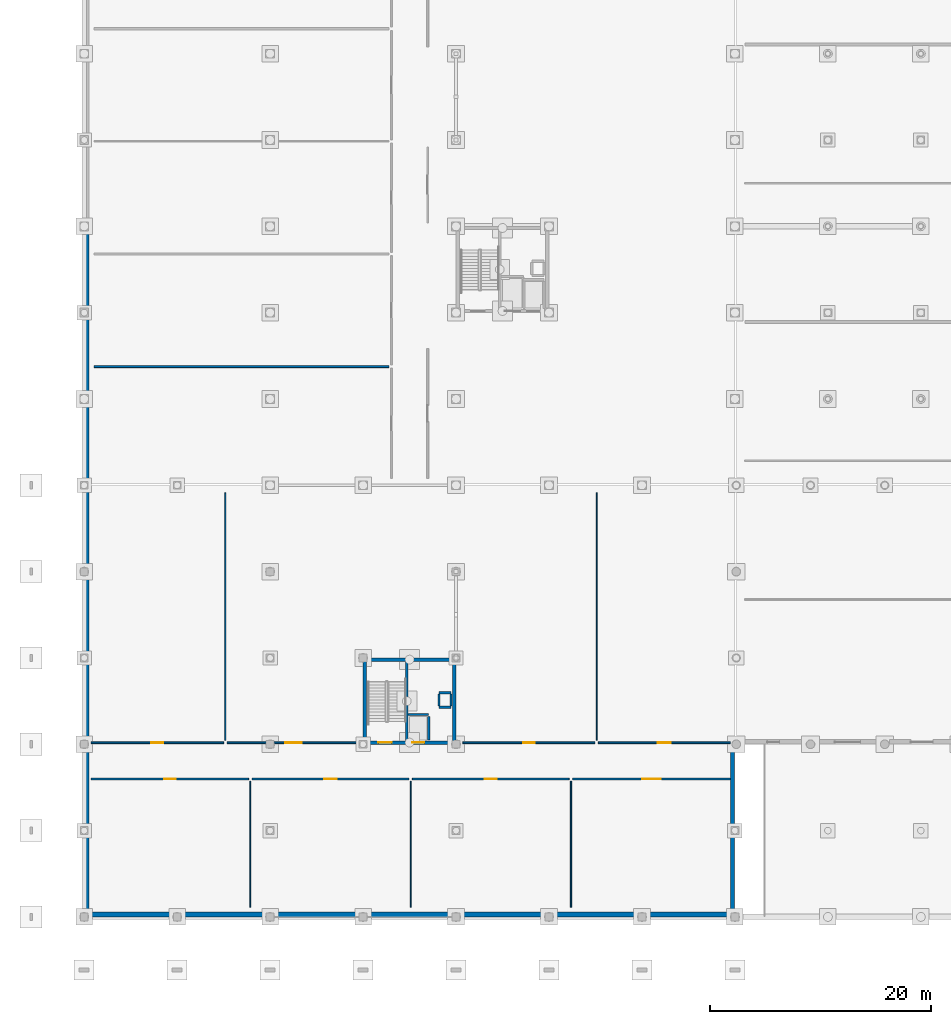
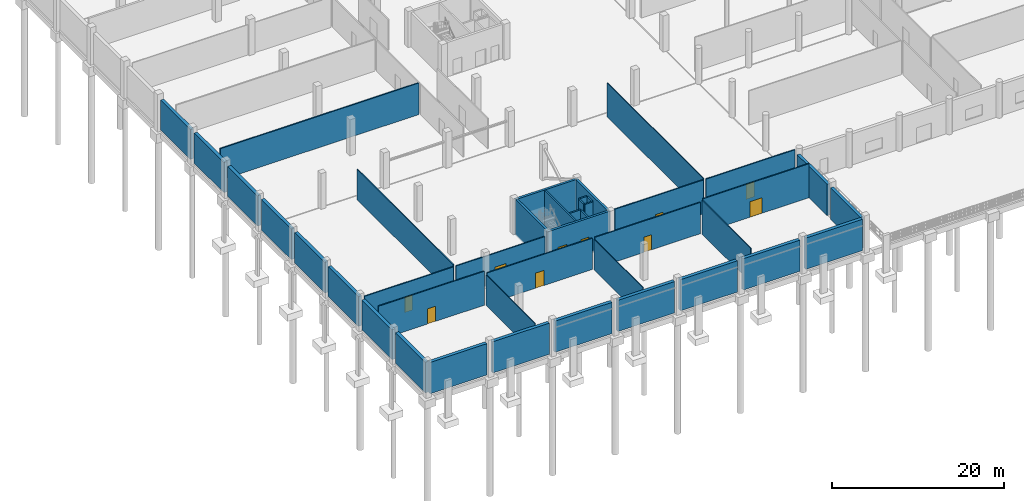
# One storey, part 27 of 48: 42 walls, 10 doors, 10 openings.
"""IFC4 building model written with IfcOpenShell, lengths in metres."""

import ifcopenshell
import ifcopenshell.guid

model = None  # the IFC model being written
_history = None  # IfcOwnerHistory: only IFC2X3 demands one
_inside = {}  # id of a spatial element -> (the spatial element, [elements in it])
_under = {}  # id of a project, library or spatial element -> (it, [spatial elements below it])
_declared = {}  # id of a project -> (the project, [libraries it declares])
_typed = {}  # id of a type object -> (the type object, [elements of that type])
_made_of = {}  # id of a material, layer set ... -> (it, [elements and type objects made of it])


def new_model(schema):
    """Start an empty IFC model of exactly this schema.

    Asked for "IFC4X3", IfcOpenShell would pick the latest addendum, in which some entities
    have other attributes; the version numbers below select the first issue.
    IFC2X3 requires an IfcOwnerHistory on every rooted entity: one is made here for all.
    """
    global model, _history
    if schema == "IFC4X3":
        model = ifcopenshell.file(schema_version=(4, 3, 0, 0))
    else:
        model = ifcopenshell.file(schema=schema)
    _inside.clear()
    _under.clear()
    _declared.clear()
    _typed.clear()
    _made_of.clear()
    _history = None
    if model.schema == "IFC2X3":
        org = make("IfcOrganization", Name="unknown")
        user = make(
            "IfcPersonAndOrganization",
            ThePerson=make("IfcPerson", FamilyName="unknown"),
            TheOrganization=org,
        )
        app = make(
            "IfcApplication",
            ApplicationDeveloper=org,
            Version="unknown",
            ApplicationFullName="unknown",
            ApplicationIdentifier="unknown",
        )
        _history = make(
            "IfcOwnerHistory",
            OwningUser=user,
            OwningApplication=app,
            ChangeAction="ADDED",
            CreationDate=0,
        )
    return model


def make(cls, **values):
    """One entity of the class cls with the attributes given. An attribute that is None is left unset."""
    return model.create_entity(
        cls, **{name: value for name, value in values.items() if value is not None}
    )


def rooted(cls, **values):
    """An entity with a GlobalId (a new one), such as an element, a storey or a relation."""
    return make(cls, GlobalId=ifcopenshell.guid.new(), OwnerHistory=_history, **values)


def si_unit(unit_type, name, prefix=None):
    """IfcSIUnit, for example si_unit("LENGTHUNIT", "METRE", prefix="MILLI")."""
    return make("IfcSIUnit", UnitType=unit_type, Prefix=prefix, Name=name)


def assignment(units):
    """IfcUnitAssignment: the units of a project."""
    return None if units is None else make("IfcUnitAssignment", Units=units)


def point(xyz):
    """IfcCartesianPoint."""
    return None if xyz is None else make("IfcCartesianPoint", Coordinates=xyz)


def direction(xyz):
    """IfcDirection."""
    return None if xyz is None else make("IfcDirection", DirectionRatios=xyz)


def frame(location, z_axis=None, x_axis=None):
    """IfcAxis2Placement3D, a coordinate frame: its origin and axes. An axis left out is left unset."""
    return make(
        "IfcAxis2Placement3D",
        Location=point(location),
        Axis=direction(z_axis),
        RefDirection=direction(x_axis),
    )


def frame_2d(location, x_axis=None):
    """IfcAxis2Placement2D, a coordinate frame in the plane: its origin and x axis."""
    return make(
        "IfcAxis2Placement2D", Location=point(location), RefDirection=direction(x_axis)
    )


def origin():
    """The frame at (0, 0, 0) with its axes left unset."""
    return frame((0.0, 0.0, 0.0))


def place(relative_to, where):
    """IfcLocalPlacement: puts the frame where relative to a parent placement (None: the world)."""
    return make(
        "IfcLocalPlacement", PlacementRelTo=relative_to, RelativePlacement=where
    )


def context(
    kind, dimensions, precision=None, world=None, true_north=None, identifier=None
):
    """IfcGeometricRepresentationContext, for example the 3D "Model" context."""
    return make(
        "IfcGeometricRepresentationContext",
        ContextIdentifier=identifier,
        ContextType=kind,
        CoordinateSpaceDimension=dimensions,
        Precision=precision,
        WorldCoordinateSystem=world,
        TrueNorth=true_north,
    )


def subcontext(parent, identifier, kind, view, scale=None):
    """IfcGeometricRepresentationSubContext, for example "Body" below "Model"."""
    return make(
        "IfcGeometricRepresentationSubContext",
        ContextIdentifier=identifier,
        ContextType=kind,
        ParentContext=parent,
        TargetScale=scale,
        TargetView=view,
    )


def project(units=None, contexts=None):
    """IfcProject with its units and contexts."""
    return rooted(
        "IfcProject",
        Name="project",
        RepresentationContexts=contexts,
        UnitsInContext=assignment(units),
    )


def spatial(cls, under=None, at=None, **own):
    """A site, building, storey or space (cls), placed at a placement, below another one or the project."""
    s = rooted(cls, ObjectPlacement=at, **own)
    if under is not None:
        _under.setdefault(under.id(), (under, []))[1].append(s)
    return s


def profile(cls, at=None, kind="AREA", **sizes):
    """A parametric profile (cls). Its sizes go by their IFC names, for example OverallWidth=200.0."""
    return make(cls, ProfileType=kind, Position=at, **sizes)


def rectangle(**sizes):
    """IfcRectangleProfileDef."""
    return profile("IfcRectangleProfileDef", **sizes)


def extrude(swept, where, along, depth):
    """IfcExtrudedAreaSolid: the profile swept, set in the frame where, extruded along a direction by depth."""
    return make(
        "IfcExtrudedAreaSolid",
        SweptArea=swept,
        Position=where,
        ExtrudedDirection=direction(along),
        Depth=depth,
    )


def shape(context_of_items, identifier, shape_type, items):
    """IfcShapeRepresentation: the items that make up one representation, for example the "Body"."""
    return make(
        "IfcShapeRepresentation",
        ContextOfItems=context_of_items,
        RepresentationIdentifier=identifier,
        RepresentationType=shape_type,
        Items=items,
    )


def material(Name=None, Category=None):
    """IfcMaterial."""
    return make("IfcMaterial", Name=Name, Category=Category)


def layer(
    of_material, thickness, ventilated=None, Name=None, Category=None, Priority=None
):
    """IfcMaterialLayer: one layer of a wall or slab, of a material (None: an air gap)."""
    return make(
        "IfcMaterialLayer",
        Material=of_material,
        LayerThickness=thickness,
        IsVentilated=ventilated,
        Name=Name,
        Category=Category,
        Priority=Priority,
    )


def layer_set(layers, Name=None):
    """IfcMaterialLayerSet."""
    return make("IfcMaterialLayerSet", MaterialLayers=layers, LayerSetName=Name)


def made_of(thing, what):
    """Note that an element or type object is made of a material, layer set ...; save() writes the relation."""
    if what is not None:
        _made_of.setdefault(what.id(), (what, []))[1].append(thing)
    return thing


def type_object(cls, material=None, **own):
    """A type object (cls), such as IfcWallType, which elements share."""
    return made_of(rooted(cls, **own), material)


def element(
    cls,
    number,
    at=None,
    inside=None,
    cuts=None,
    type_object=None,
    material=None,
    context=None,
    identifier="Body",
    shape_type=None,
    held_by="IfcProductDefinitionShape",
    body=None,
    shapes=None,
    **own,
):
    """One element of the class cls, such as IfcWall. Its Tag is "e" and its number.

    at: its placement. inside: the storey or other place that contains it. cuts: it is an
    opening in that element (IfcRelVoidsElement). A single representation is given by context,
    identifier, shape_type and body (its items); several are given by shapes. held_by: the class
    of the entity that holds the representations. save() writes the other relations.
    """
    e = rooted(cls, Tag="e%d" % number, ObjectPlacement=at, **own)
    if body is not None:
        shapes = [shape(context, identifier, shape_type, body)]
    if shapes is not None:
        e.Representation = make(held_by, Representations=shapes)
    if inside is not None:
        _inside.setdefault(inside.id(), (inside, []))[1].append(e)
    if cuts is not None:
        rooted(
            "IfcRelVoidsElement", RelatingBuildingElement=cuts, RelatedOpeningElement=e
        )
    if type_object is not None:
        _typed.setdefault(type_object.id(), (type_object, []))[1].append(e)
    return made_of(e, material)


def fill(opening, filler):
    """IfcRelFillsElement: the door or window that sits in an opening."""
    return rooted(
        "IfcRelFillsElement",
        RelatingOpeningElement=opening,
        RelatedBuildingElement=filler,
    )


def aggregate(whole, parts):
    """IfcRelAggregates: a whole, such as a stair, and the parts it consists of."""
    return rooted("IfcRelAggregates", RelatingObject=whole, RelatedObjects=parts)


def save(model, path):
    """Write the relations noted so far, then the file.

    IfcRelAggregates (storeys below a building ...), IfcRelContainedInSpatialStructure (elements
    in a storey), IfcRelDefinesByType, IfcRelAssociatesMaterial and IfcRelDeclares: one each for
    every whole, place, type object, material and project.
    """
    for whole, parts in _under.values():
        aggregate(whole, parts)
    for where, things in _inside.values():
        rooted(
            "IfcRelContainedInSpatialStructure",
            RelatedElements=things,
            RelatingStructure=where,
        )
    for kind, things in _typed.values():
        rooted("IfcRelDefinesByType", RelatedObjects=things, RelatingType=kind)
    for what, things in _made_of.values():
        rooted("IfcRelAssociatesMaterial", RelatedObjects=things, RelatingMaterial=what)
    for by, libraries in _declared.values():
        rooted("IfcRelDeclares", RelatingContext=by, RelatedDefinitions=libraries)
    model.write(path)


model = new_model("IFC4")

# Units and contexts
model_context = context("Model", 3, precision=1e-05, world=origin(), true_north=direction((0.0, 1.0)))
body_context = subcontext(model_context, "Body", "Model", "MODEL_VIEW")
ifc_project = project(units=[si_unit("LENGTHUNIT", "METRE"), si_unit("AREAUNIT", "SQUARE_METRE"), si_unit("VOLUMEUNIT", "CUBIC_METRE"), si_unit("PLANEANGLEUNIT", "RADIAN"), si_unit("MASSUNIT", "GRAM", prefix="KILO")], contexts=[model_context])

# Site, building, storey
site_placement = place(None, origin())
site = spatial("IfcSite", under=ifc_project, at=site_placement, CompositionType="ELEMENT")
building_placement = place(site_placement, origin())
building = spatial("IfcBuilding", under=site, at=building_placement, Name="Nabrawat Pavilion Hospital", CompositionType="ELEMENT")
storey_placement = place(building_placement, frame((0.0, 0.0, -5.10009765625)))
storey = spatial("IfcBuildingStorey", under=building, at=storey_placement, Name="B1", CompositionType="ELEMENT", Elevation=-5.10009765625)

# Walls
ifc_material_1 = material(Name="Concrete C35/45", Category="concrete")
ifc_layer_1 = layer(ifc_material_1, 0.43994140625, Name="Concrete C35/45")
ifc_layer_set_1 = layer_set([ifc_layer_1], Name="Concrete C35/45")
wall_type_1 = type_object("IfcWallType", Name="Basement Deep RC Retaining Wall 440", PredefinedType="USERDEFINED", material=ifc_layer_set_1)
wall_1_placement = place(storey_placement, frame((0.219970703125, 0.43994140625, 0.0), z_axis=(0.0, 0.0, 1.0), x_axis=(0.0, 1.0, 0.0)))
element("IfcWall", 1, at=wall_1_placement, inside=storey, type_object=wall_type_1, Name="B1 Perimeter Retaining Wall 001", ObjectType="RETAININGWALL", PredefinedType="USERDEFINED", context=body_context, shape_type="SweptSolid", body=[
    extrude(rectangle(XDim=6.969970703125, YDim=0.43994140625, at=frame_2d((3.48486328125, 0.0))), origin(), (0.0, 0.0, 1.0), 4.330078125),
])
for number, where, z_axis, x_axis, name in (
    (2, (0.219970703125, 8.18994140625, 0.0), (0.0, 0.0, 1.0), (0.0, 1.0, 0.0), "B1 Perimeter Retaining Wall 002"),
    (3, (0.219970703125, 15.989990234375, 0.0), (0.0, 0.0, 1.0), (0.0, 1.0, 0.0), "B1 Perimeter Retaining Wall 003"),
):
    element("IfcWall", number, at=place(storey_placement, frame(where, z_axis=z_axis, x_axis=x_axis)), inside=storey, type_object=wall_type_1, Name=name, ObjectType="RETAININGWALL", PredefinedType="USERDEFINED", context=body_context, shape_type="SweptSolid", body=[
        extrude(rectangle(XDim=7.02001953125, YDim=0.43994140625, at=frame_2d((3.510009765625, 0.0))), origin(), (0.0, 0.0, 1.0), 4.22998046875),
    ])
wall_2_placement = place(storey_placement, frame((0.219970703125, 23.7900390625, 0.0), z_axis=(0.0, 0.0, 1.0), x_axis=(0.0, 1.0, 0.0)))
element("IfcWall", 4, at=wall_2_placement, inside=storey, type_object=wall_type_1, Name="B1 Perimeter Retaining Wall 004", ObjectType="RETAININGWALL", PredefinedType="USERDEFINED", context=body_context, shape_type="SweptSolid", body=[
    extrude(rectangle(XDim=7.02001953125, YDim=0.43994140625, at=frame_2d((3.510009765625, 0.0))), origin(), (0.0, 0.0, 1.0), 4.330078125),
])
wall_3_placement = place(storey_placement, frame((0.219970703125, 31.590087890625, 0.0), z_axis=(0.0, 0.0, 1.0), x_axis=(0.0, 1.0, 0.0)))
element("IfcWall", 5, at=wall_3_placement, inside=storey, type_object=wall_type_1, Name="B1 Perimeter Retaining Wall 005", ObjectType="RETAININGWALL", PredefinedType="USERDEFINED", context=body_context, shape_type="SweptSolid", body=[
    extrude(rectangle(XDim=6.969970703125, YDim=0.43994140625, at=frame_2d((3.48486328125, 0.0))), origin(), (0.0, 0.0, 1.0), 4.330078125),
])
wall_4_placement = place(storey_placement, frame((0.389892578125, 0.219970703125, 0.0), z_axis=(0.0, 0.0, 1.0), x_axis=(1.0, 0.0, 0.0)))
element("IfcWall", 6, at=wall_4_placement, inside=storey, type_object=wall_type_1, Name="B1 Perimeter Retaining Wall 006", ObjectType="RETAININGWALL", PredefinedType="USERDEFINED", context=body_context, shape_type="SweptSolid", body=[
    extrude(rectangle(XDim=7.6201171875, YDim=0.43994140625, at=frame_2d((3.81005859375, 0.0))), origin(), (0.0, 0.0, 1.0), 4.440185546875),
])
wall_5_placement = place(storey_placement, frame((8.7900390625, 0.219970703125, 0.0), z_axis=(0.0, 0.0, 1.0), x_axis=(1.0, 0.0, 0.0)))
element("IfcWall", 7, at=wall_5_placement, inside=storey, type_object=wall_type_1, Name="B1 Perimeter Retaining Wall 007", ObjectType="RETAININGWALL", PredefinedType="USERDEFINED", context=body_context, shape_type="SweptSolid", body=[
    extrude(rectangle(XDim=7.619873046875, YDim=0.43994140625, at=frame_2d((3.81005859375, 0.0))), origin(), (0.0, 0.0, 1.0), 4.43017578125),
])
wall_6_placement = place(storey_placement, frame((17.18994140625, 0.219970703125, 0.0), z_axis=(0.0, 0.0, 1.0), x_axis=(1.0, 0.0, 0.0)))
element("IfcWall", 8, at=wall_6_placement, inside=storey, type_object=wall_type_1, Name="B1 Perimeter Retaining Wall 008", ObjectType="RETAININGWALL", PredefinedType="USERDEFINED", context=body_context, shape_type="SweptSolid", body=[
    extrude(rectangle(XDim=7.6201171875, YDim=0.43994140625, at=frame_2d((3.81005859375, 0.0))), origin(), (0.0, 0.0, 1.0), 4.43017578125),
])
wall_7_placement = place(storey_placement, frame((25.590087890625, 0.219970703125, 0.0), z_axis=(0.0, 0.0, 1.0), x_axis=(1.0, 0.0, 0.0)))
element("IfcWall", 9, at=wall_7_placement, inside=storey, type_object=wall_type_1, Name="B1 Perimeter Retaining Wall 009", ObjectType="RETAININGWALL", PredefinedType="USERDEFINED", context=body_context, shape_type="SweptSolid", body=[
    extrude(rectangle(XDim=7.619873046875, YDim=0.43994140625, at=frame_2d((3.81005859375, 0.0))), origin(), (0.0, 0.0, 1.0), 4.43017578125),
])
wall_8_placement = place(storey_placement, frame((33.989990234375, 0.219970703125, 0.0), z_axis=(0.0, 0.0, 1.0), x_axis=(1.0, 0.0, 0.0)))
element("IfcWall", 10, at=wall_8_placement, inside=storey, type_object=wall_type_1, Name="B1 Perimeter Retaining Wall 010", ObjectType="RETAININGWALL", PredefinedType="USERDEFINED", context=body_context, shape_type="SweptSolid", body=[
    extrude(rectangle(XDim=7.6201171875, YDim=0.43994140625, at=frame_2d((3.81005859375, 0.0))), origin(), (0.0, 0.0, 1.0), 4.43017578125),
])
wall_9_placement = place(storey_placement, frame((42.389892578125, 0.219970703125, 0.0), z_axis=(0.0, 0.0, 1.0), x_axis=(1.0, 0.0, 0.0)))
element("IfcWall", 11, at=wall_9_placement, inside=storey, type_object=wall_type_1, Name="B1 Perimeter Retaining Wall 011", ObjectType="RETAININGWALL", PredefinedType="USERDEFINED", context=body_context, shape_type="SweptSolid", body=[
    extrude(rectangle(XDim=7.6201171875, YDim=0.43994140625, at=frame_2d((3.81005859375, 0.0))), origin(), (0.0, 0.0, 1.0), 4.440185546875),
])
wall_10_placement = place(storey_placement, frame((50.7900390625, 0.219970703125, 0.0), z_axis=(0.0, 0.0, 1.0), x_axis=(1.0, 0.0, 0.0)))
element("IfcWall", 12, at=wall_10_placement, inside=storey, type_object=wall_type_1, Name="B1 Perimeter Retaining Wall 012", ObjectType="RETAININGWALL", PredefinedType="USERDEFINED", context=body_context, shape_type="SweptSolid", body=[
    extrude(rectangle(XDim=7.619873046875, YDim=0.43994140625, at=frame_2d((3.81005859375, 0.0))), origin(), (0.0, 0.0, 1.0), 4.440185546875),
])
wall_11_placement = place(storey_placement, frame((0.219970703125, 39.43994140625, 0.0), z_axis=(0.0, 0.0, 1.0), x_axis=(0.0, 1.0, 0.0)))
element("IfcWall", 13, at=wall_11_placement, inside=storey, type_object=wall_type_1, Name="B1 Perimeter Retaining Wall 013", ObjectType="RETAININGWALL", PredefinedType="USERDEFINED", context=body_context, shape_type="SweptSolid", body=[
    extrude(rectangle(XDim=6.920166015625, YDim=0.43994140625, at=frame_2d((3.4599609375, 0.0))), origin(), (0.0, 0.0, 1.0), 4.280029296875),
])
wall_12_placement = place(storey_placement, frame((0.219970703125, 47.239990234375, 0.0), z_axis=(0.0, 0.0, 1.0), x_axis=(0.0, 1.0, 0.0)))
element("IfcWall", 14, at=wall_12_placement, inside=storey, type_object=wall_type_1, Name="B1 Perimeter Retaining Wall 014", ObjectType="RETAININGWALL", PredefinedType="USERDEFINED", context=body_context, shape_type="SweptSolid", body=[
    extrude(rectangle(XDim=6.919921875, YDim=0.43994140625, at=frame_2d((3.4599609375, 0.0))), origin(), (0.0, 0.0, 1.0), 4.280029296875),
])
wall_13_placement = place(storey_placement, frame((0.219970703125, 55.0400390625, 0.0), z_axis=(0.0, 0.0, 1.0), x_axis=(0.0, 1.0, 0.0)))
element("IfcWall", 15, at=wall_13_placement, inside=storey, type_object=wall_type_1, Name="B1 Perimeter Retaining Wall 015", ObjectType="RETAININGWALL", PredefinedType="USERDEFINED", context=body_context, shape_type="SweptSolid", body=[
    extrude(rectangle(XDim=6.919921875, YDim=0.43994140625, at=frame_2d((3.4599609375, 0.0))), origin(), (0.0, 0.0, 1.0), 4.22998046875),
])
ifc_layer_2 = layer(ifc_material_1, 0.39990234375, Name="Concrete C35/45")
ifc_layer_set_2 = layer_set([ifc_layer_2], Name="Concrete C35/45")
wall_type_2 = type_object("IfcWallType", Name="Basement RC Retaining Wall 400", PredefinedType="USERDEFINED", material=ifc_layer_set_2)
wall_14_placement = place(storey_placement, frame((58.580078125, 0.43994140625, 0.0), z_axis=(0.0, 0.0, 1.0), x_axis=(0.0, 1.0, 0.0)))
element("IfcWall", 16, at=wall_14_placement, inside=storey, type_object=wall_type_2, Name="B1 Perimeter Retaining Wall 030", ObjectType="RETAININGWALL", PredefinedType="USERDEFINED", context=body_context, shape_type="SweptSolid", body=[
    extrude(rectangle(XDim=6.969970703125, YDim=0.39990234375, at=frame_2d((3.48486328125, 0.0))), origin(), (0.0, 0.0, 1.0), 4.440185546875),
])
wall_15_placement = place(storey_placement, frame((58.580078125, 8.18994140625, 0.0), z_axis=(0.0, 0.0, 1.0), x_axis=(0.0, 1.0, 0.0)))
element("IfcWall", 17, at=wall_15_placement, inside=storey, type_object=wall_type_2, Name="B1 Perimeter Retaining Wall 031", ObjectType="RETAININGWALL", PredefinedType="USERDEFINED", context=body_context, shape_type="SweptSolid", body=[
    extrude(rectangle(XDim=6.969970703125, YDim=0.39990234375, at=frame_2d((3.48486328125, 0.0))), origin(), (0.0, 0.0, 1.0), 4.43017578125),
])
ifc_material_2 = material(Name="Epoxy-Coated Gypsum on Stud", Category="gypsum")
ifc_layer_3 = layer(ifc_material_2, 0.169921875, Name="Epoxy-Coated Gypsum on Stud")
ifc_layer_set_3 = layer_set([ifc_layer_3], Name="Epoxy-Coated Gypsum on Stud")
wall_type_3 = type_object("IfcWallType", Name="Biosafety Laboratory Chemical Wall 170", PredefinedType="PARTITIONING", material=ifc_layer_set_3)
wall_16_placement = place(storey_placement, frame((0.889892578125, 49.718017578125, 0.0), z_axis=(0.0, 0.0, 1.0), x_axis=(1.0, 0.0, 0.0)))
element("IfcWall", 18, at=wall_16_placement, inside=storey, type_object=wall_type_3, Name="B1 Anatomical Pathology Laboratory B1-01 Dividing Partition", PredefinedType="PARTITIONING", context=body_context, shape_type="SweptSolid", body=[
    extrude(rectangle(XDim=26.650146484375, YDim=0.169921875, at=frame_2d((13.3251953125, 0.0))), origin(), (0.0, 0.0, 1.0), 4.47998046875),
])
ifc_material_3 = material(Name="Gypsum Plasterboard on Stud", Category="gypsum")
ifc_layer_4 = layer(ifc_material_3, 0.10009765625, Name="Gypsum Plasterboard on Stud")
ifc_layer_set_4 = layer_set([ifc_layer_4], Name="Gypsum Plasterboard on Stud")
wall_type_4 = type_object("IfcWallType", Name="Clean Utility Sub-Partition 100", PredefinedType="PARTITIONING", material=ifc_layer_set_4)
for number, where, z_axis, x_axis, name in (
    (19, (15.02001953125, 0.889892578125, 0.0), (0.0, 0.0, 1.0), (0.0, 1.0, 0.0), "B1 Central Sterile Supply Decontamination Hall B1-01 Dividing Partition"),
    (20, (29.5, 0.889892578125, 0.0), (0.0, 0.0, 1.0), (0.0, 1.0, 0.0), "B1 Automated Robotic Inpatient Pharmacy Vault B1-02 Dividing Partition"),
):
    element("IfcWall", number, at=place(storey_placement, frame(where, z_axis=z_axis, x_axis=x_axis)), inside=storey, type_object=wall_type_4, Name=name, PredefinedType="PARTITIONING", context=body_context, shape_type="SweptSolid", body=[
        extrude(rectangle(XDim=11.35009765625, YDim=0.10009765625, at=frame_2d((5.675048828125, 0.0))), origin(), (0.0, 0.0, 1.0), 4.330078125),
    ])
wall_17_placement = place(storey_placement, frame((46.300048828125, 15.9599609375, 0.0), z_axis=(0.0, 0.0, 1.0), x_axis=(0.0, 1.0, 0.0)))
element("IfcWall", 21, at=wall_17_placement, inside=storey, type_object=wall_type_4, Name="B1 Central Sterile Supply Decontamination Hall B1-07 Dividing Partition", PredefinedType="PARTITIONING", context=body_context, shape_type="SweptSolid", body=[
    extrude(rectangle(XDim=22.35009765625, YDim=0.10009765625, at=frame_2d((11.175048828125, 0.0))), origin(), (0.0, 0.0, 1.0), 4.820068359375),
])

# Wall, opening, door
ifc_material_4 = material(Name="Gypsum Fireboard on Steel Stud", Category="steel")
ifc_layer_5 = layer(ifc_material_4, 0.14990234375, Name="Gypsum Fireboard on Steel Stud")
ifc_layer_set_5 = layer_set([ifc_layer_5], Name="Gypsum Fireboard on Steel Stud")
wall_type_5 = type_object("IfcWallType", Name="Clinical Corridor Smoke-Barrier Wall 150", PredefinedType="PARTITIONING", material=ifc_layer_set_5)
wall_18_placement = place(storey_placement, frame((0.6201171875, 12.4599609375, 0.0), z_axis=(0.0, 0.0, 1.0), x_axis=(1.0, 0.0, 0.0)))
wall_18 = element("IfcWall", 22, at=wall_18_placement, inside=storey, type_object=wall_type_5, Name="B1 Central Sterile Supply Decontamination Hall B1-01 Front Partition", PredefinedType="PARTITIONING", context=body_context, shape_type="SweptSolid", body=[
    extrude(rectangle(XDim=14.239990234375, YDim=0.14990234375, at=frame_2d((7.1201171875, 0.0))), origin(), (0.0, 0.0, 1.0), 4.820068359375),
])
opening_1_placement = place(wall_18_placement, frame((6.594970703125, 0.0, 0.0)))
opening_1 = element("IfcOpeningElement", 23, at=opening_1_placement, cuts=wall_18, Name="Opening D-OPC-L", PredefinedType="OPENING", context=body_context, shape_type="SweptSolid", body=[
    extrude(rectangle(XDim=1.050048828125, YDim=2.14990234375, at=frame_2d((0.52490234375, 1.074951171875))), frame((0.0, 0.0849609375, 0.0), z_axis=(0.0, -1.0, 0.0), x_axis=(1.0, 0.0, 0.0)), (0.0, 0.0, 1.0), 0.169921875),
])
ifc_material_5 = material(Name="Stainless-Clad Acoustic Timber and Vision Glass", Category="wood")
door_type_1 = type_object("IfcDoorType", Name="Outpatient Clinic Consultation Door L 1050x2150", OperationType="NOTDEFINED", PredefinedType="DOOR", material=ifc_material_5)
door_1_placement = place(opening_1_placement, origin())
door_1 = element("IfcDoor", 24, at=door_1_placement, inside=storey, type_object=door_type_1, Name="Central Sterile Supply Decontamination Hall B1-01 Door", OperationType="SINGLE_SWING_RIGHT", OverallHeight=2.14990234375, OverallWidth=1.050048828125, PredefinedType="DOOR", context=body_context, shape_type="SweptSolid", body=[
    extrude(rectangle(XDim=1.050048828125, YDim=2.14990234375, at=frame_2d((0.52490234375, 1.074951171875))), frame((0.0, 0.02490234375, 0.0), z_axis=(0.0, -1.0, 0.0), x_axis=(1.0, 0.0, 0.0)), (0.0, 0.0, 1.0), 0.050048828125),
])
fill(opening_1, door_1)

wall_19_placement = place(storey_placement, frame((15.179931640625, 12.4599609375, 0.0), z_axis=(0.0, 0.0, 1.0), x_axis=(1.0, 0.0, 0.0)))
wall_19 = element("IfcWall", 25, at=wall_19_placement, inside=storey, type_object=wall_type_5, Name="B1 Automated Robotic Inpatient Pharmacy Vault B1-02 Front Partition", PredefinedType="PARTITIONING", context=body_context, shape_type="SweptSolid", body=[
    extrude(rectangle(XDim=14.16015625, YDim=0.14990234375, at=frame_2d((7.080078125, 0.0))), origin(), (0.0, 0.0, 1.0), 4.43017578125),
])
opening_2_placement = place(wall_19_placement, frame((6.5048828125, 0.0, 0.0)))
opening_2 = element("IfcOpeningElement", 26, at=opening_2_placement, cuts=wall_19, Name="Opening D-PHM", PredefinedType="OPENING", context=body_context, shape_type="SweptSolid", body=[
    extrude(rectangle(XDim=1.14990234375, YDim=2.14990234375, at=frame_2d((0.574951171875, 1.074951171875))), frame((0.0, 0.0849609375, 0.0), z_axis=(0.0, -1.0, 0.0), x_axis=(1.0, 0.0, 0.0)), (0.0, 0.0, 1.0), 0.169921875),
])
door_type_2 = type_object("IfcDoorType", Name="Pharmacy Vault Security Fire Door 1150x2150", OperationType="NOTDEFINED", PredefinedType="DOOR", material=ifc_material_5)
door_2_placement = place(opening_2_placement, origin())
door_2 = element("IfcDoor", 27, at=door_2_placement, inside=storey, type_object=door_type_2, Name="Automated Robotic Inpatient Pharmacy Vault B1-02 Door", OperationType="SINGLE_SWING_LEFT", OverallHeight=2.14990234375, OverallWidth=1.14990234375, PredefinedType="DOOR", context=body_context, shape_type="SweptSolid", body=[
    extrude(rectangle(XDim=1.14990234375, YDim=2.14990234375, at=frame_2d((0.574951171875, 1.074951171875))), frame((0.0, 0.02490234375, 0.0), z_axis=(0.0, -1.0, 0.0), x_axis=(1.0, 0.0, 0.0)), (0.0, 0.0, 1.0), 0.050048828125),
])
fill(opening_2, door_2)

wall_20_placement = place(storey_placement, frame((29.659912109375, 12.4599609375, 0.0), z_axis=(0.0, 0.0, 1.0), x_axis=(1.0, 0.0, 0.0)))
wall_20 = element("IfcWall", 28, at=wall_20_placement, inside=storey, type_object=wall_type_5, Name="B1 Central Dietary Preparation Kitchen B1-03 Front Partition", PredefinedType="PARTITIONING", context=body_context, shape_type="SweptSolid", body=[
    extrude(rectangle(XDim=14.16015625, YDim=0.14990234375, at=frame_2d((7.080078125, 0.0))), origin(), (0.0, 0.0, 1.0), 4.43017578125),
])
opening_3_placement = place(wall_20_placement, frame((6.554931640625, 0.0, 0.0)))
opening_3 = element("IfcOpeningElement", 29, at=opening_3_placement, cuts=wall_20, Name="Opening D-OPC-L", PredefinedType="OPENING", context=body_context, shape_type="SweptSolid", body=[
    extrude(rectangle(XDim=1.050048828125, YDim=2.14990234375, at=frame_2d((0.52490234375, 1.074951171875))), frame((0.0, 0.0849609375, 0.0), z_axis=(0.0, -1.0, 0.0), x_axis=(1.0, 0.0, 0.0)), (0.0, 0.0, 1.0), 0.169921875),
])
door_3_placement = place(opening_3_placement, origin())
door_3 = element("IfcDoor", 30, at=door_3_placement, inside=storey, type_object=door_type_1, Name="Central Dietary Preparation Kitchen B1-03 Door", OperationType="SINGLE_SWING_RIGHT", OverallHeight=2.14990234375, OverallWidth=1.050048828125, PredefinedType="DOOR", context=body_context, shape_type="SweptSolid", body=[
    extrude(rectangle(XDim=1.050048828125, YDim=2.14990234375, at=frame_2d((0.52490234375, 1.074951171875))), frame((0.0, 0.02490234375, 0.0), z_axis=(0.0, -1.0, 0.0), x_axis=(1.0, 0.0, 0.0)), (0.0, 0.0, 1.0), 0.050048828125),
])
fill(opening_3, door_3)

wall_21_placement = place(storey_placement, frame((44.139892578125, 12.4599609375, 0.0), z_axis=(0.0, 0.0, 1.0), x_axis=(1.0, 0.0, 0.0)))
wall_21 = element("IfcWall", 31, at=wall_21_placement, inside=storey, type_object=wall_type_5, Name="B1 Hospital Linen Sterilisation Store B1-04 Front Partition", PredefinedType="PARTITIONING", context=body_context, shape_type="SweptSolid", body=[
    extrude(rectangle(XDim=14.239990234375, YDim=0.14990234375, at=frame_2d((7.1201171875, 0.0))), origin(), (0.0, 0.0, 1.0), 4.820068359375),
])
opening_4_placement = place(wall_21_placement, frame((6.294921875, 0.0, 0.0)))
opening_4 = element("IfcOpeningElement", 32, at=opening_4_placement, cuts=wall_21, Name="Opening D-STRG", PredefinedType="OPENING", context=body_context, shape_type="SweptSolid", body=[
    extrude(rectangle(XDim=1.64990234375, YDim=2.199951171875, at=frame_2d((0.824951171875, 1.10009765625))), frame((0.0, 0.0849609375, 0.0), z_axis=(0.0, -1.0, 0.0), x_axis=(1.0, 0.0, 0.0)), (0.0, 0.0, 1.0), 0.169921875),
])
door_type_3 = type_object("IfcDoorType", Name="Bulk Medical Store Double Door 1650x2200", OperationType="NOTDEFINED", PredefinedType="DOOR", material=ifc_material_5)
door_4_placement = place(opening_4_placement, origin())
door_4 = element("IfcDoor", 33, at=door_4_placement, inside=storey, type_object=door_type_3, Name="Hospital Linen Sterilisation Store B1-04 Door", OperationType="DOUBLE_DOOR_SINGLE_SWING", OverallHeight=2.199951171875, OverallWidth=1.64990234375, PredefinedType="DOOR", context=body_context, shape_type="SweptSolid", body=[
    extrude(rectangle(XDim=1.64990234375, YDim=2.199951171875, at=frame_2d((0.824951171875, 1.10009765625))), frame((0.0, 0.02490234375, 0.0), z_axis=(0.0, -1.0, 0.0), x_axis=(1.0, 0.0, 0.0)), (0.0, 0.0, 1.0), 0.050048828125),
])
fill(opening_4, door_4)

wall_22_placement = place(storey_placement, frame((0.6201171875, 15.739990234375, 0.0), z_axis=(0.0, 0.0, 1.0), x_axis=(1.0, 0.0, 0.0)))
wall_22 = element("IfcWall", 34, at=wall_22_placement, inside=storey, type_object=wall_type_5, Name="B1 Biomedical Engineering Workshop B1-05 Front Partition", PredefinedType="PARTITIONING", context=body_context, shape_type="SweptSolid", body=[
    extrude(rectangle(XDim=11.969970703125, YDim=0.14990234375, at=frame_2d((5.98486328125, 0.0))), origin(), (0.0, 0.0, 1.0), 4.22998046875),
])
opening_5_placement = place(wall_22_placement, frame((5.4599609375, 0.0, 0.0)))
opening_5 = element("IfcOpeningElement", 35, at=opening_5_placement, cuts=wall_22, Name="Opening D-OPC-L", PredefinedType="OPENING", context=body_context, shape_type="SweptSolid", body=[
    extrude(rectangle(XDim=1.050048828125, YDim=2.14990234375, at=frame_2d((0.52490234375, 1.074951171875))), frame((0.0, 0.0849609375, 0.0), z_axis=(0.0, -1.0, 0.0), x_axis=(1.0, 0.0, 0.0)), (0.0, 0.0, 1.0), 0.169921875),
])
door_5_placement = place(opening_5_placement, origin())
door_5 = element("IfcDoor", 36, at=door_5_placement, inside=storey, type_object=door_type_1, Name="Biomedical Engineering Workshop B1-05 Door", OperationType="SINGLE_SWING_RIGHT", OverallHeight=2.14990234375, OverallWidth=1.050048828125, PredefinedType="DOOR", context=body_context, shape_type="SweptSolid", body=[
    extrude(rectangle(XDim=1.050048828125, YDim=2.14990234375, at=frame_2d((0.52490234375, 1.074951171875))), frame((0.0, 0.02490234375, 0.0), z_axis=(0.0, -1.0, 0.0), x_axis=(1.0, 0.0, 0.0)), (0.0, 0.0, 1.0), 0.050048828125),
])
fill(opening_5, door_5)

wall_23_placement = place(storey_placement, frame((12.909912109375, 15.739990234375, 0.0), z_axis=(0.0, 0.0, 1.0), x_axis=(1.0, 0.0, 0.0)))
wall_23 = element("IfcWall", 37, at=wall_23_placement, inside=storey, type_object=wall_type_5, Name="B1 Medical Oxygen Vacuum Plant Room B1-06 Front Partition", PredefinedType="PARTITIONING", context=body_context, shape_type="SweptSolid", body=[
    extrude(rectangle(XDim=11.969970703125, YDim=0.14990234375, at=frame_2d((5.98486328125, 0.0))), origin(), (0.0, 0.0, 1.0), 4.22998046875),
])
opening_6_placement = place(wall_23_placement, frame((5.235107421875, 0.0, 0.0)))
opening_6 = element("IfcOpeningElement", 38, at=opening_6_placement, cuts=wall_23, Name="Opening D-PLANT", PredefinedType="OPENING", context=body_context, shape_type="SweptSolid", body=[
    extrude(rectangle(XDim=1.5, YDim=2.25, at=frame_2d((0.75, 1.125))), frame((0.0, 0.0849609375, 0.0), z_axis=(0.0, -1.0, 0.0), x_axis=(1.0, 0.0, 0.0)), (0.0, 0.0, 1.0), 0.169921875),
])
door_type_4 = type_object("IfcDoorType", Name="D-PLANT Heavy Plant Room Steel Fire Door 1500x2250", OperationType="NOTDEFINED", PredefinedType="DOOR", material=ifc_material_5)
door_6_placement = place(opening_6_placement, origin())
door_6 = element("IfcDoor", 39, at=door_6_placement, inside=storey, type_object=door_type_4, Name="Medical Oxygen Vacuum Plant Room B1-06 Door", OperationType="DOUBLE_DOOR_SINGLE_SWING", OverallHeight=2.25, OverallWidth=1.5, PredefinedType="DOOR", context=body_context, shape_type="SweptSolid", body=[
    extrude(rectangle(XDim=1.5, YDim=2.25, at=frame_2d((0.75, 1.125))), frame((0.0, 0.02490234375, 0.0), z_axis=(0.0, -1.0, 0.0), x_axis=(1.0, 0.0, 0.0)), (0.0, 0.0, 1.0), 0.050048828125),
])
fill(opening_6, door_6)

wall_24_placement = place(storey_placement, frame((34.219970703125, 15.739990234375, 0.0), z_axis=(0.0, 0.0, 1.0), x_axis=(1.0, 0.0, 0.0)))
wall_24 = element("IfcWall", 40, at=wall_24_placement, inside=storey, type_object=wall_type_5, Name="B1 Central Sterile Supply Decontamination Hall B1-07 Front Partition", PredefinedType="PARTITIONING", context=body_context, shape_type="SweptSolid", body=[
    extrude(rectangle(XDim=11.919921875, YDim=0.14990234375, at=frame_2d((5.9599609375, 0.0))), origin(), (0.0, 0.0, 1.0), 4.820068359375),
])
opening_7_placement = place(wall_24_placement, frame((5.43505859375, 0.0, 0.0)))
opening_7 = element("IfcOpeningElement", 41, at=opening_7_placement, cuts=wall_24, Name="Opening D-OPC-L", PredefinedType="OPENING", context=body_context, shape_type="SweptSolid", body=[
    extrude(rectangle(XDim=1.050048828125, YDim=2.14990234375, at=frame_2d((0.52490234375, 1.074951171875))), frame((0.0, 0.0849609375, 0.0), z_axis=(0.0, -1.0, 0.0), x_axis=(1.0, 0.0, 0.0)), (0.0, 0.0, 1.0), 0.169921875),
])
door_7_placement = place(opening_7_placement, origin())
door_7 = element("IfcDoor", 42, at=door_7_placement, inside=storey, type_object=door_type_1, Name="Central Sterile Supply Decontamination Hall B1-07 Door", OperationType="SINGLE_SWING_RIGHT", OverallHeight=2.14990234375, OverallWidth=1.050048828125, PredefinedType="DOOR", context=body_context, shape_type="SweptSolid", body=[
    extrude(rectangle(XDim=1.050048828125, YDim=2.14990234375, at=frame_2d((0.52490234375, 1.074951171875))), frame((0.0, 0.02490234375, 0.0), z_axis=(0.0, -1.0, 0.0), x_axis=(1.0, 0.0, 0.0)), (0.0, 0.0, 1.0), 0.050048828125),
])
fill(opening_7, door_7)

wall_25_placement = place(storey_placement, frame((46.4599609375, 15.739990234375, 0.0), z_axis=(0.0, 0.0, 1.0), x_axis=(1.0, 0.0, 0.0)))
wall_25 = element("IfcWall", 43, at=wall_25_placement, inside=storey, type_object=wall_type_5, Name="B1 Automated Robotic Inpatient Pharmacy Vault B1-08 Front Partition", PredefinedType="PARTITIONING", context=body_context, shape_type="SweptSolid", body=[
    extrude(rectangle(XDim=11.919921875, YDim=0.14990234375, at=frame_2d((5.9599609375, 0.0))), origin(), (0.0, 0.0, 1.0), 4.820068359375),
])
opening_8_placement = place(wall_25_placement, frame((5.385009765625, 0.0, 0.0)))
opening_8 = element("IfcOpeningElement", 44, at=opening_8_placement, cuts=wall_25, Name="Opening D-PHM", PredefinedType="OPENING", context=body_context, shape_type="SweptSolid", body=[
    extrude(rectangle(XDim=1.14990234375, YDim=2.14990234375, at=frame_2d((0.574951171875, 1.074951171875))), frame((0.0, 0.0849609375, 0.0), z_axis=(0.0, -1.0, 0.0), x_axis=(1.0, 0.0, 0.0)), (0.0, 0.0, 1.0), 0.169921875),
])
door_8_placement = place(opening_8_placement, origin())
door_8 = element("IfcDoor", 45, at=door_8_placement, inside=storey, type_object=door_type_2, Name="Automated Robotic Inpatient Pharmacy Vault B1-08 Door", OperationType="SINGLE_SWING_LEFT", OverallHeight=2.14990234375, OverallWidth=1.14990234375, PredefinedType="DOOR", context=body_context, shape_type="SweptSolid", body=[
    extrude(rectangle(XDim=1.14990234375, YDim=2.14990234375, at=frame_2d((0.574951171875, 1.074951171875))), frame((0.0, 0.02490234375, 0.0), z_axis=(0.0, -1.0, 0.0), x_axis=(1.0, 0.0, 0.0)), (0.0, 0.0, 1.0), 0.050048828125),
])
fill(opening_8, door_8)

# Walls
ifc_layer_6 = layer(ifc_material_1, 0.199951171875, Name="Concrete C35/45")
ifc_layer_set_6 = layer_set([ifc_layer_6], Name="Concrete C35/45")
wall_type_6 = type_object("IfcWallType", Name="Lift and Riser Fire Shaft Wall 200", PredefinedType="PARTITIONING", material=ifc_layer_set_6)
wall_26_placement = place(storey_placement, frame((29.14990234375, 15.919921875, -0.219970703125), z_axis=(0.0, 0.0, 1.0), x_axis=(0.0, 1.0, 0.0)))
element("IfcWall", 46, at=wall_26_placement, inside=storey, type_object=wall_type_6, Name="B1 CORE-1 Stair-Lift Dividing Shear Wall", PredefinedType="SHEAR", context=body_context, shape_type="SweptSolid", body=[
    extrude(rectangle(XDim=7.16015625, YDim=0.199951171875, at=frame_2d((3.580078125, 0.0))), origin(), (0.0, 0.0, 1.0), 5.070068359375),
])
for number, where, z_axis, x_axis, name in (
    (47, (32.050048828125, 18.949951171875, 0.0), (0.0, 0.0, 1.0), (1.0, 0.0, 0.0), "B1 CORE-1 MEP Riser Shaft Wall S"),
    (48, (32.050048828125, 20.25, 0.0), (0.0, 0.0, 1.0), (1.0, 0.0, 0.0), "B1 CORE-1 MEP Riser Shaft Wall N"),
):
    element("IfcWall", number, at=place(storey_placement, frame(where, z_axis=z_axis, x_axis=x_axis)), inside=storey, type_object=wall_type_6, Name=name, PredefinedType="PARTITIONING", context=body_context, shape_type="SweptSolid", body=[
        extrude(rectangle(XDim=1.099853515625, YDim=0.199951171875, at=frame_2d((0.5498046875, 0.0))), origin(), (0.0, 0.0, 1.0), 4.330078125),
    ])
for number, where, z_axis, x_axis, name in (
    (49, (32.050048828125, 19.070068359375, 0.0), (0.0, 0.0, 1.0), (0.0, 1.0, 0.0), "B1 CORE-1 MEP Riser Shaft Wall W"),
    (50, (33.14990234375, 19.070068359375, 0.0), (0.0, 0.0, 1.0), (0.0, 1.0, 0.0), "B1 CORE-1 MEP Riser Shaft Wall E"),
):
    element("IfcWall", number, at=place(storey_placement, frame(where, z_axis=z_axis, x_axis=x_axis)), inside=storey, type_object=wall_type_6, Name=name, PredefinedType="PARTITIONING", context=body_context, shape_type="SweptSolid", body=[
        extrude(rectangle(XDim=1.059814453125, YDim=0.199951171875, at=frame_2d((0.52978515625, 0.0))), origin(), (0.0, 0.0, 1.0), 4.330078125),
    ])
wall_27_placement = place(storey_placement, frame((31.139892578125, 15.97998046875, 0.0), z_axis=(0.0, 0.0, 1.0), x_axis=(0.0, 1.0, 0.0)))
element("IfcWall", 51, at=wall_27_placement, inside=storey, type_object=wall_type_6, Name="B1 Lift LP-01 Shaft East Wall", PredefinedType="PARTITIONING", context=body_context, shape_type="SweptSolid", body=[
    extrude(rectangle(XDim=2.14013671875, YDim=0.199951171875, at=frame_2d((1.070068359375, 0.0))), origin(), (0.0, 0.0, 1.0), 4.330078125),
])
wall_28_placement = place(storey_placement, frame((29.25, 18.280029296875, 0.0), z_axis=(0.0, 0.0, 1.0), x_axis=(1.0, 0.0, 0.0)))
element("IfcWall", 52, at=wall_28_placement, inside=storey, type_object=wall_type_6, Name="B1 Lift LP-01 Shaft Back Wall", PredefinedType="PARTITIONING", context=body_context, shape_type="SweptSolid", body=[
    extrude(rectangle(XDim=1.860107421875, YDim=0.199951171875, at=frame_2d((0.93017578125, 0.0))), origin(), (0.0, 0.0, 1.0), 4.330078125),
])
ifc_layer_7 = layer(ifc_material_3, 0.1201171875, Name="Gypsum Plasterboard on Stud")
ifc_layer_set_7 = layer_set([ifc_layer_7], Name="Gypsum Plasterboard on Stud")
wall_type_7 = type_object("IfcWallType", Name="Outpatient Consultation Partition 120", PredefinedType="PARTITIONING", material=ifc_layer_set_7)
wall_29_placement = place(storey_placement, frame((43.97998046875, 0.889892578125, 0.0), z_axis=(0.0, 0.0, 1.0), x_axis=(0.0, 1.0, 0.0)))
element("IfcWall", 53, at=wall_29_placement, inside=storey, type_object=wall_type_7, Name="B1 Central Dietary Preparation Kitchen B1-03 Dividing Partition", PredefinedType="PARTITIONING", context=body_context, shape_type="SweptSolid", body=[
    extrude(rectangle(XDim=11.35009765625, YDim=0.1201171875, at=frame_2d((5.675048828125, 0.0))), origin(), (0.0, 0.0, 1.0), 4.820068359375),
])
wall_30_placement = place(storey_placement, frame((12.75, 15.9599609375, 0.0), z_axis=(0.0, 0.0, 1.0), x_axis=(0.0, 1.0, 0.0)))
element("IfcWall", 54, at=wall_30_placement, inside=storey, type_object=wall_type_7, Name="B1 Biomedical Engineering Workshop B1-05 Dividing Partition", PredefinedType="PARTITIONING", context=body_context, shape_type="SweptSolid", body=[
    extrude(rectangle(XDim=22.35009765625, YDim=0.1201171875, at=frame_2d((11.175048828125, 0.0))), origin(), (0.0, 0.0, 1.0), 4.330078125),
])

# Wall, openings, doors
ifc_material_6 = material(Name="Concrete C40/50", Category="concrete")
ifc_layer_8 = layer(ifc_material_6, 0.300048828125, Name="Concrete C40/50")
ifc_layer_set_8 = layer_set([ifc_layer_8], Name="Concrete C40/50")
wall_type_8 = type_object("IfcWallType", Name="Reinforced Concrete Core Shear Wall 300", PredefinedType="SHEAR", material=ifc_layer_set_8)
wall_31_placement = place(storey_placement, frame((25.199951171875, 15.75, -0.219970703125), z_axis=(0.0, 0.0, 1.0), x_axis=(1.0, 0.0, 0.0)))
wall_31 = element("IfcWall", 55, at=wall_31_placement, inside=storey, type_object=wall_type_8, Name="B1 CORE-1 South Core Shear Wall", PredefinedType="SHEAR", context=body_context, shape_type="SweptSolid", body=[
    extrude(rectangle(XDim=8.400146484375, YDim=0.300048828125, at=frame_2d((4.2001953125, 0.0))), origin(), (0.0, 0.0, 1.0), 5.070068359375),
])
opening_9_placement = place(wall_31_placement, frame((1.3798828125, 0.0, 0.219970703125)))
opening_9 = element("IfcOpeningElement", 56, at=opening_9_placement, cuts=wall_31, Name="Opening D-STAIR", PredefinedType="OPENING", context=body_context, shape_type="SweptSolid", body=[
    extrude(rectangle(XDim=1.199951171875, YDim=2.14990234375, at=frame_2d((0.60009765625, 1.074951171875))), frame((0.0, 0.16015625, 0.0), z_axis=(0.0, -1.0, 0.0), x_axis=(1.0, 0.0, 0.0)), (0.0, 0.0, 1.0), 0.320068359375),
])
opening_10_placement = place(wall_31_placement, frame((4.429931640625, 0.0, 0.219970703125)))
opening_10 = element("IfcOpeningElement", 57, at=opening_10_placement, cuts=wall_31, Name="Opening LD-LP-01", PredefinedType="OPENING", context=body_context, shape_type="SweptSolid", body=[
    extrude(rectangle(XDim=1.10009765625, YDim=2.14990234375, at=frame_2d((0.550048828125, 1.074951171875))), frame((0.0, 0.16015625, 0.0), z_axis=(0.0, -1.0, 0.0), x_axis=(1.0, 0.0, 0.0)), (0.0, 0.0, 1.0), 0.320068359375),
])
door_type_5 = type_object("IfcDoorType", Name="D-STAIR Exit Stair Fire Door 1200x2150", OperationType="NOTDEFINED", PredefinedType="DOOR", material=ifc_material_5)
door_9_placement = place(opening_9_placement, origin())
door_9 = element("IfcDoor", 58, at=door_9_placement, inside=storey, type_object=door_type_5, Name="B1 ST-01 Fire Exit Stair Door", OperationType="SINGLE_SWING_RIGHT", OverallHeight=2.14990234375, OverallWidth=1.199951171875, PredefinedType="DOOR", context=body_context, shape_type="SweptSolid", body=[
    extrude(rectangle(XDim=1.199951171875, YDim=2.14990234375, at=frame_2d((0.60009765625, 1.074951171875))), frame((0.0, 0.02490234375, 0.0), z_axis=(0.0, -1.0, 0.0), x_axis=(1.0, 0.0, 0.0)), (0.0, 0.0, 1.0), 0.050048828125),
])
fill(opening_9, door_9)
door_type_6 = type_object("IfcDoorType", Name="Passenger Lift Sliding Landing Door 1100x2150", OperationType="DOUBLE_DOOR_SLIDING", PredefinedType="DOOR", material=ifc_material_5)
door_10_placement = place(opening_10_placement, origin())
door_10 = element("IfcDoor", 59, at=door_10_placement, inside=storey, type_object=door_type_6, Name="B1 Lift LP-01 Sliding Landing Door", OperationType="DOUBLE_DOOR_SLIDING", OverallHeight=2.14990234375, OverallWidth=1.10009765625, PredefinedType="DOOR", context=body_context, shape_type="SweptSolid", body=[
    extrude(rectangle(XDim=1.10009765625, YDim=2.14990234375, at=frame_2d((0.550048828125, 1.074951171875))), frame((0.0, 0.02490234375, 0.0), z_axis=(0.0, -1.0, 0.0), x_axis=(1.0, 0.0, 0.0)), (0.0, 0.0, 1.0), 0.050048828125),
])
fill(opening_10, door_10)

# Walls
wall_32_placement = place(storey_placement, frame((25.199951171875, 23.25, -0.219970703125), z_axis=(0.0, 0.0, 1.0), x_axis=(1.0, 0.0, 0.0)))
element("IfcWall", 60, at=wall_32_placement, inside=storey, type_object=wall_type_8, Name="B1 CORE-1 North Core Shear Wall", PredefinedType="SHEAR", context=body_context, shape_type="SweptSolid", body=[
    extrude(rectangle(XDim=8.400146484375, YDim=0.300048828125, at=frame_2d((4.2001953125, 0.0))), origin(), (0.0, 0.0, 1.0), 5.070068359375),
])
for number, where, z_axis, x_axis, name in (
    (61, (25.35009765625, 15.89990234375, -0.219970703125), (0.0, 0.0, 1.0), (0.0, 1.0, 0.0), "B1 CORE-1 West Core Shear Wall"),
    (62, (33.449951171875, 15.89990234375, -0.219970703125), (0.0, 0.0, 1.0), (0.0, 1.0, 0.0), "B1 CORE-1 East Core Shear Wall"),
):
    element("IfcWall", number, at=place(storey_placement, frame(where, z_axis=z_axis, x_axis=x_axis)), inside=storey, type_object=wall_type_8, Name=name, PredefinedType="SHEAR", context=body_context, shape_type="SweptSolid", body=[
        extrude(rectangle(XDim=7.2001953125, YDim=0.300048828125, at=frame_2d((3.60009765625, 0.0))), origin(), (0.0, 0.0, 1.0), 5.070068359375),
    ])

save(model, "model.ifc")
